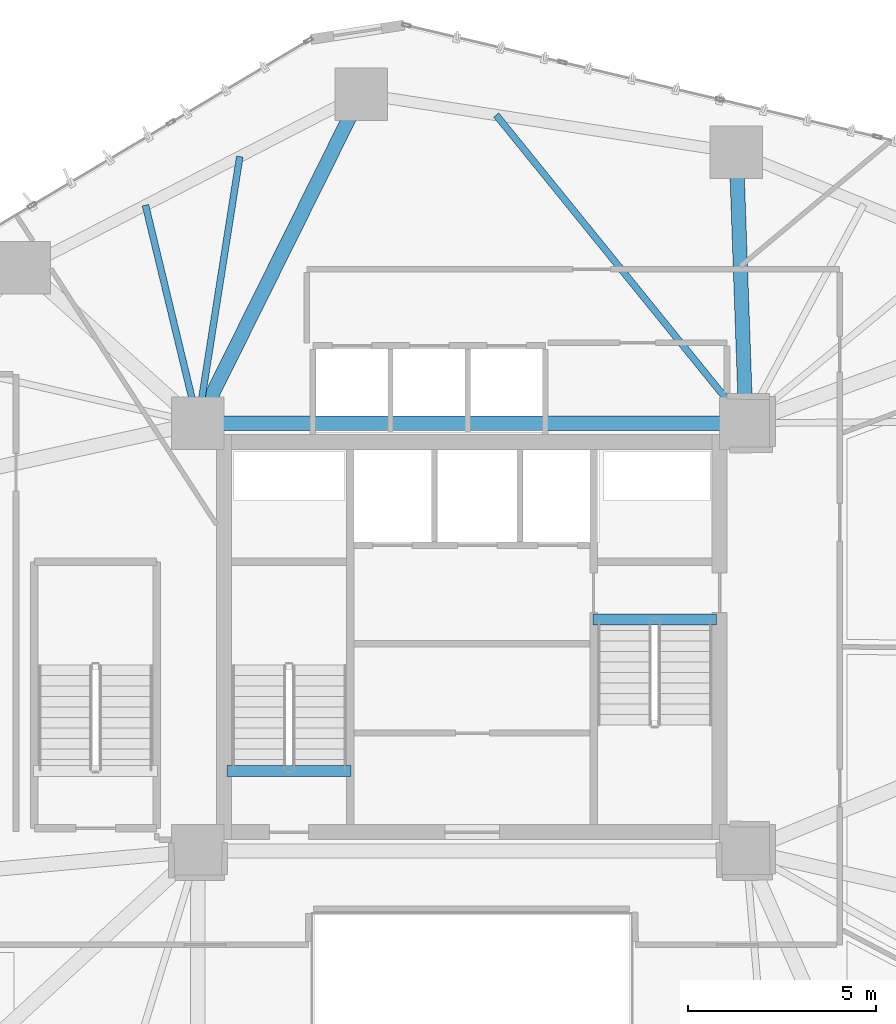
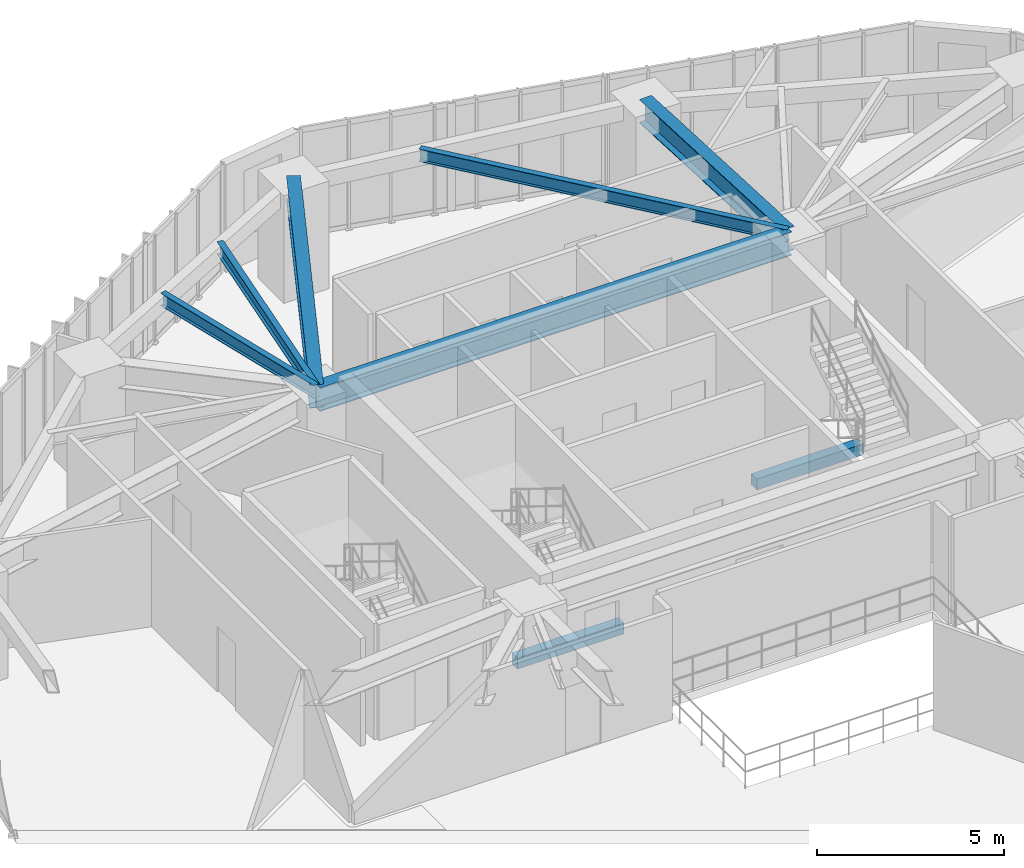
# One storey, part 8 of 23: 8 beams.
"""IFC4 building model written with IfcOpenShell, lengths in metres."""

from ifc_helpers import new_model, si_unit, direction, frame, origin, origin_2d, place, context, subcontext, project, spatial, rectangle, i_section, extrude, material, material_profile, profile_set, type_object, element, save


model = new_model("IFC4")

# Units and contexts
model_context = context("Model", 3, precision=1e-05, world=origin(), true_north=direction((0.0, 1.0)))
body_context = subcontext(model_context, "Body", "Model", "MODEL_VIEW")
ifc_project = project(units=[si_unit("LENGTHUNIT", "METRE"), si_unit("AREAUNIT", "SQUARE_METRE"), si_unit("VOLUMEUNIT", "CUBIC_METRE"), si_unit("PLANEANGLEUNIT", "RADIAN"), si_unit("MASSUNIT", "GRAM", prefix="KILO")], contexts=[model_context])

# Site, building, storey
site_placement = place(None, origin())
site = spatial("IfcSite", under=ifc_project, at=site_placement, CompositionType="ELEMENT")
building_placement = place(site_placement, origin())
building = spatial("IfcBuilding", under=site, at=building_placement, Name="Talar Marvaseh", CompositionType="ELEMENT")
storey_placement = place(building_placement, frame((0.0, 0.0, 50.60009765625)))
storey = spatial("IfcBuildingStorey", under=building, at=storey_placement, Name="L12", CompositionType="ELEMENT", Elevation=50.60009765625)

# Beams
ifc_material_1 = material(Name="Concrete C40/50", Category="concrete")
ifc_material_profile_1 = material_profile(ifc_material_1, rectangle(XDim=0.300048828125, YDim=0.360107421875, at=origin_2d()), Name="RC300x360")
ifc_profile_set_1 = profile_set([ifc_material_profile_1], Name="Concrete C40/50")
beam_type_1 = type_object("IfcBeamType", Name="Concrete Stair Landing Trimmer Beam RC300x360", PredefinedType="SPANDREL", material=ifc_profile_set_1)
for number, where, z_axis, x_axis, name in (
    (1, (22.780029296875, 27.6298828125, -0.18017578125), (-1.0, 0.0, 0.0), (0.0, -1.0, 0.0), "L12 ST-1 Stair Nosing Trimmer Beam"),
    (2, (29.219970703125, 31.669921875, -0.18017578125), (1.0, 0.0, 0.0), (0.0, 1.0, 0.0), "L12 ST-2 Stair Nosing Trimmer Beam"),
):
    element("IfcBeam", number, at=place(storey_placement, frame(where, z_axis=z_axis, x_axis=x_axis)), inside=storey, type_object=beam_type_1, Name=name, PredefinedType="SPANDREL", context=body_context, shape_type="SweptSolid", body=[
        extrude(rectangle(XDim=0.300048828125, YDim=0.360107421875, at=origin_2d()), origin(), (0.0, 0.0, 1.0), 3.300048828125),
    ])
ifc_material_2 = material(Name="Steel S355", Category="steel")
ifc_material_profile_2 = material_profile(ifc_material_2, i_section(OverallWidth=0.381103515625, OverallDepth=0.77294921875, WebThickness=0.0166015625, FlangeThickness=0.027099609375, at=origin_2d()), Name="W760x257")
ifc_profile_set_2 = profile_set([ifc_material_profile_2], Name="Steel S355")
beam_type_2 = type_object("IfcBeamType", Name="Zone 1 Radial Floor Girder W760x257", PredefinedType="BEAM", material=ifc_profile_set_2)
beam_1_placement = place(storey_placement, frame((18.699951171875, 36.89990234375, 3.13330078125), z_axis=(1.0, 0.0, 0.0), x_axis=(0.0, 1.0, 0.0)))
element("IfcBeam", 3, at=beam_1_placement, inside=storey, type_object=beam_type_2, Name="L12 Zone 1 Radial Floor Girder W760x257", PredefinedType="BEAM", context=body_context, shape_type="SweptSolid", body=[
    extrude(i_section(OverallWidth=0.381103515625, OverallDepth=0.77294921875, WebThickness=0.0166015625, FlangeThickness=0.027099609375, at=origin_2d()), origin(), (0.0, 0.0, 1.0), 14.60009765625),
])
beam_2_placement = place(storey_placement, frame((23.047119140625, 45.6669921875, 3.13330078125), z_axis=(-0.444237233911, -0.895909191831, 0.0), x_axis=(0.895909191831, -0.444237233911, 0.0)))
element("IfcBeam", 4, at=beam_2_placement, inside=storey, type_object=beam_type_2, Name="L12 Zone 1 Radial Floor Girder W760x257", PredefinedType="BEAM", context=body_context, shape_type="SweptSolid", body=[
    extrude(i_section(OverallWidth=0.381103515625, OverallDepth=0.77294921875, WebThickness=0.0166015625, FlangeThickness=0.027099609375, at=origin_2d()), origin(), (0.0, 0.0, 1.0), 9.78564453125),
])
beam_3_placement = place(storey_placement, frame((33.0458984375, 44.117919921875, 3.13330078125), z_axis=(0.03518874657, -0.999380684281, 0.0), x_axis=(0.999380684281, 0.03518874657, 0.0)))
element("IfcBeam", 5, at=beam_3_placement, inside=storey, type_object=beam_type_2, Name="L12 Zone 1 Radial Floor Girder W760x257", PredefinedType="BEAM", context=body_context, shape_type="SweptSolid", body=[
    extrude(i_section(OverallWidth=0.381103515625, OverallDepth=0.77294921875, WebThickness=0.0166015625, FlangeThickness=0.027099609375, at=origin_2d()), origin(), (0.0, 0.0, 1.0), 7.222412109375),
])
ifc_material_profile_3 = material_profile(ifc_material_2, i_section(OverallWidth=0.179931640625, OverallDepth=0.4130859375, WebThickness=0.009765625, FlangeThickness=0.01611328125, at=origin_2d()), Name="W410x75")
ifc_profile_set_3 = profile_set([ifc_material_profile_3], Name="Steel S355")
beam_type_3 = type_object("IfcBeamType", Name="Zone 1 Secondary Floor Joist W410x75", PredefinedType="JOIST", material=ifc_profile_set_3)
beam_4_placement = place(storey_placement, frame((17.301025390625, 42.70751953125, 3.3134765625), z_axis=(0.234179742477, -0.972193318334, 0.0), x_axis=(0.972193318334, 0.234179742477, 0.0)))
element("IfcBeam", 6, at=beam_4_placement, inside=storey, type_object=beam_type_3, Name="L12 Zone 1 Secondary Floor Joist W410x75", PredefinedType="JOIST", context=body_context, shape_type="SweptSolid", body=[
    extrude(i_section(OverallWidth=0.179931640625, OverallDepth=0.4130859375, WebThickness=0.009765625, FlangeThickness=0.01611328125, at=origin_2d()), origin(), (0.0, 0.0, 1.0), 5.9736328125),
])
beam_5_placement = place(storey_placement, frame((19.81494140625, 44.00244140625, 3.3134765625), z_axis=(-0.15508539052, -0.987901068755, 0.0), x_axis=(0.987901068755, -0.15508539052, 0.0)))
element("IfcBeam", 7, at=beam_5_placement, inside=storey, type_object=beam_type_3, Name="L12 Zone 1 Secondary Floor Joist W410x75", PredefinedType="JOIST", context=body_context, shape_type="SweptSolid", body=[
    extrude(i_section(OverallWidth=0.179931640625, OverallDepth=0.4130859375, WebThickness=0.009765625, FlangeThickness=0.01611328125, at=origin_2d()), origin(), (0.0, 0.0, 1.0), 7.189453125),
])
beam_6_placement = place(storey_placement, frame((26.646484375, 45.109375, 3.3134765625), z_axis=(0.629644089062, -0.776883724317, 0.0), x_axis=(0.776883724317, 0.629644089062, 0.0)))
element("IfcBeam", 8, at=beam_6_placement, inside=storey, type_object=beam_type_3, Name="L12 Zone 1 Secondary Floor Joist W410x75", PredefinedType="JOIST", context=body_context, shape_type="SweptSolid", body=[
    extrude(i_section(OverallWidth=0.179931640625, OverallDepth=0.4130859375, WebThickness=0.009765625, FlangeThickness=0.01611328125, at=origin_2d()), origin(), (0.0, 0.0, 1.0), 10.567138671875),
])

save(model, "model.ifc")
